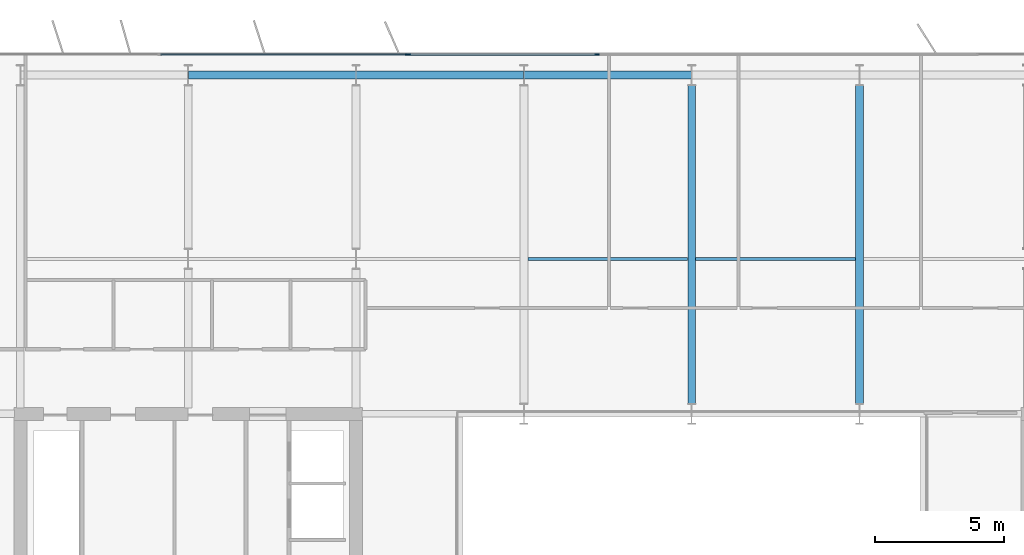
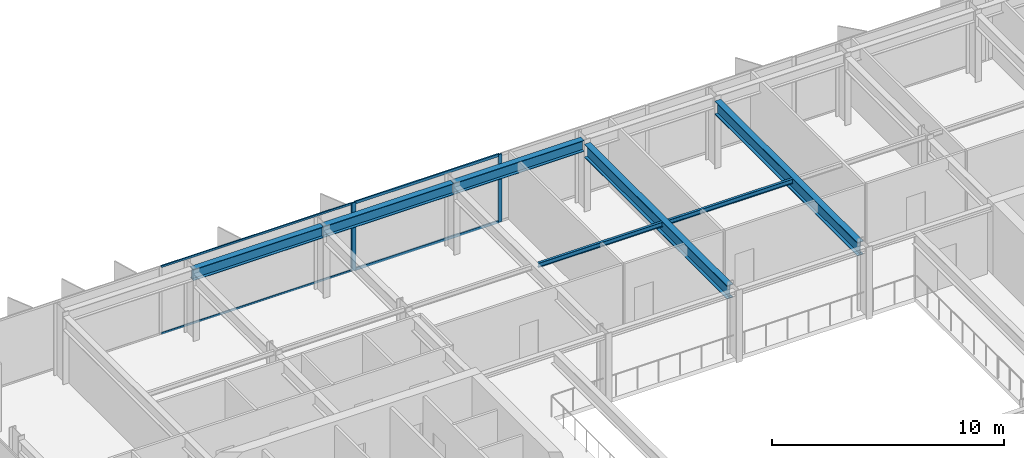
# One storey, part 11 of 23: 7 beams, 7 members, 2 elements without a shape of their own.
"""IFC4 building model written with IfcOpenShell, lengths in metres."""

from ifc_helpers import new_model, si_unit, direction, frame, origin, origin_2d, place, context, subcontext, project, spatial, rectangle, i_section, extrude, material, layer, layer_set, material_profile, profile_set, type_object, element, aggregate, save


model = new_model("IFC4")

# Units and contexts
model_context = context("Model", 3, precision=1e-05, world=origin(), true_north=direction((0.0, 1.0)))
body_context = subcontext(model_context, "Body", "Model", "MODEL_VIEW")
ifc_project = project(units=[si_unit("LENGTHUNIT", "METRE"), si_unit("AREAUNIT", "SQUARE_METRE"), si_unit("VOLUMEUNIT", "CUBIC_METRE"), si_unit("PLANEANGLEUNIT", "RADIAN"), si_unit("MASSUNIT", "GRAM", prefix="KILO")], contexts=[model_context])

# Site, building, storey
site_placement = place(None, origin())
site = spatial("IfcSite", under=ifc_project, at=site_placement, CompositionType="ELEMENT")
building_placement = place(site_placement, origin())
building = spatial("IfcBuilding", under=site, at=building_placement, Name="Putna Gate Headquarters", CompositionType="ELEMENT")
storey_placement = place(building_placement, frame((0.0, 0.0, 225.199951171875)))
storey = spatial("IfcBuildingStorey", under=building, at=storey_placement, Name="L56", CompositionType="ELEMENT", Elevation=225.199951171875)

# Beams
ifc_material_1 = material(Name="Steel S355J2", Category="steel")
ifc_material_profile_1 = material_profile(ifc_material_1, i_section(OverallWidth=0.300048828125, OverallDepth=0.699951171875, WebThickness=0.01708984375, FlangeThickness=0.031982421875, at=origin_2d()), Name="Steel S355J2")
ifc_profile_set_1 = profile_set([ifc_material_profile_1], Name="Steel S355J2")
beam_type_1 = type_object("IfcBeamType", Name="BM-GIRD-B-HEB700", PredefinedType="USERDEFINED", material=ifc_profile_set_1)
for number, where, z_axis, x_axis, name in (
    (1, (39.0, 33.39501953125, 3.22998046875), (0.0, 1.0, 0.0), (-1.0, 0.0, 0.0), "L56 North Primary Girder X39"),
    (2, (45.5, 33.39501953125, 3.22998046875), (0.0, 1.0, 0.0), (-1.0, 0.0, 0.0), "L56 North Primary Girder X45"),
):
    element("IfcBeam", number, at=place(storey_placement, frame(where, z_axis=z_axis, x_axis=x_axis)), inside=storey, type_object=beam_type_1, Name=name, ObjectType="GIRDER", PredefinedType="USERDEFINED", context=body_context, shape_type="SweptSolid", body=[
        extrude(i_section(OverallWidth=0.300048828125, OverallDepth=0.699951171875, WebThickness=0.01708984375, FlangeThickness=0.031982421875, at=origin_2d()), origin(), (0.0, 0.0, 1.0), 12.330078125),
    ])
ifc_material_profile_2 = material_profile(ifc_material_1, i_section(OverallWidth=0.1201171875, OverallDepth=0.239990234375, WebThickness=0.006103515625, FlangeThickness=0.009765625, at=origin_2d()), Name="Steel S355J2")
ifc_profile_set_2 = profile_set([ifc_material_profile_2], Name="Steel S355J2")
beam_type_2 = type_object("IfcBeamType", Name="BM-SEC-Z4-IPE240", PredefinedType="JOIST", material=ifc_profile_set_2)
for number, where, z_axis, x_axis, name in (
    (3, (32.654052734375, 39.0, 3.4599609375), (1.0, 0.0, 0.0), (0.0, 1.0, 0.0), "L56 North Secondary Beam 4"),
    (4, (39.154052734375, 39.0, 3.4599609375), (1.0, 0.0, 0.0), (0.0, 1.0, 0.0), "L56 North Secondary Beam 5"),
):
    element("IfcBeam", number, at=place(storey_placement, frame(where, z_axis=z_axis, x_axis=x_axis)), inside=storey, type_object=beam_type_2, Name=name, PredefinedType="JOIST", context=body_context, shape_type="SweptSolid", body=[
        extrude(i_section(OverallWidth=0.1201171875, OverallDepth=0.239990234375, WebThickness=0.006103515625, FlangeThickness=0.009765625, at=origin_2d()), origin(), (0.0, 0.0, 1.0), 6.19189453125),
    ])
ifc_material_profile_3 = material_profile(ifc_material_1, i_section(OverallWidth=0.300048828125, OverallDepth=0.590087890625, WebThickness=0.012939453125, FlangeThickness=0.02490234375, at=origin_2d()), Name="Steel S355J2")
ifc_profile_set_3 = profile_set([ifc_material_profile_3], Name="Steel S355J2")
beam_type_3 = type_object("IfcBeamType", Name="BM-SPAN-Z4-HEA600", PredefinedType="SPANDREL", material=ifc_profile_set_3)
for number, where, z_axis, x_axis, name in (
    (5, (19.506103515625, 46.1201171875, 3.28515625), (1.0, 0.0, 0.0), (0.0, 1.0, 0.0), "L56 N Perimeter Spandrel 2"),
    (6, (26.006103515625, 46.1201171875, 3.28515625), (1.0, 0.0, 0.0), (0.0, 1.0, 0.0), "L56 N Perimeter Spandrel 3"),
    (7, (32.506103515625, 46.1201171875, 3.28515625), (1.0, 0.0, 0.0), (0.0, 1.0, 0.0), "L56 N Perimeter Spandrel 4"),
):
    element("IfcBeam", number, at=place(storey_placement, frame(where, z_axis=z_axis, x_axis=x_axis)), inside=storey, type_object=beam_type_3, Name=name, PredefinedType="SPANDREL", context=body_context, shape_type="SweptSolid", body=[
        extrude(i_section(OverallWidth=0.300048828125, OverallDepth=0.590087890625, WebThickness=0.012939453125, FlangeThickness=0.02490234375, at=origin_2d()), origin(), (0.0, 0.0, 1.0), 6.48779296875),
    ])

# Curtain wall, member
ifc_material_2 = material(Name="Anodised bronze aluminium curtain wall", Category="aluminium")
ifc_layer_1 = layer(ifc_material_2, 0.139892578125)
ifc_layer_set_1 = layer_set([ifc_layer_1], Name="Anodised bronze aluminium curtain wall")
curtain_wall_type_1 = type_object("IfcCurtainWallType", Name="CW-SYS-Z4", PredefinedType="USERDEFINED", material=ifc_layer_set_1)
curtain_wall_1_placement = place(storey_placement, origin())
curtain_wall_1 = element("IfcCurtainWall", 8, at=curtain_wall_1_placement, inside=storey, type_object=curtain_wall_type_1, Name="L56 North West Curtain Wall", ObjectType="STICK CURTAIN WALL", PredefinedType="USERDEFINED")
ifc_material_3 = material(Name="Anodised bronze aluminium EN AW-6060", Category="aluminium")
ifc_material_profile_4 = material_profile(ifc_material_3, rectangle(XDim=0.06005859375, YDim=0.139892578125, at=origin_2d()), Name="Anodised bronze aluminium EN AW-6060")
ifc_profile_set_4 = profile_set([ifc_material_profile_4], Name="Anodised bronze aluminium EN AW-6060")
member_type_1 = type_object("IfcMemberType", Name="MULL-CWM-4", PredefinedType="MULLION", material=ifc_profile_set_4)
member_1_placement = place(storey_placement, frame((27.969970703125, 46.919921875, 0.0), z_axis=(0.0, 0.0, 1.0), x_axis=(0.0, 1.0, 0.0)))
member_1 = element("IfcMember", 9, at=member_1_placement, type_object=member_type_1, Name="CWS-4 mullion 3", PredefinedType="MULLION", context=body_context, shape_type="SweptSolid", body=[
    extrude(rectangle(XDim=0.06005859375, YDim=0.139892578125, at=origin_2d()), origin(), (0.0, 0.0, 1.0), 3.580078125),
])

# Curtain wall, members
ifc_layer_2 = layer(ifc_material_2, 0.179931640625)
ifc_layer_set_2 = layer_set([ifc_layer_2], Name="Anodised bronze aluminium curtain wall")
curtain_wall_type_2 = type_object("IfcCurtainWallType", Name="CW-SYS-ATR", PredefinedType="USERDEFINED", material=ifc_layer_set_2)
curtain_wall_2_placement = place(storey_placement, origin())
curtain_wall_2 = element("IfcCurtainWall", 10, at=curtain_wall_2_placement, inside=storey, type_object=curtain_wall_type_2, Name="L56 North Atrium Clear Glazing", ObjectType="ATRIUM GLAZING", PredefinedType="USERDEFINED")
ifc_material_profile_5 = material_profile(ifc_material_3, rectangle(XDim=0.070068359375, YDim=0.179931640625, at=origin_2d()), Name="Anodised bronze aluminium EN AW-6060")
ifc_profile_set_5 = profile_set([ifc_material_profile_5], Name="Anodised bronze aluminium EN AW-6060")
member_type_2 = type_object("IfcMemberType", Name="MULL-CWM-AT", PredefinedType="MULLION", material=ifc_profile_set_5)
member_2_placement = place(storey_placement, frame((28.034912109375, 46.919921875, 0.0), z_axis=(0.0, 0.0, 1.0), x_axis=(0.0, 1.0, 0.0)))
member_2 = element("IfcMember", 11, at=member_2_placement, type_object=member_type_2, Name="CWS-AT mullion 1", PredefinedType="MULLION", context=body_context, shape_type="SweptSolid", body=[
    extrude(rectangle(XDim=0.070068359375, YDim=0.179931640625, at=origin_2d()), origin(), (0.0, 0.0, 1.0), 3.580078125),
])
member_3_placement = place(storey_placement, frame((35.333251953125, 46.919921875, 0.0), z_axis=(0.0, 0.0, 1.0), x_axis=(0.0, 1.0, 0.0)))
member_3 = element("IfcMember", 12, at=member_3_placement, type_object=member_type_2, Name="CWS-AT mullion 2", PredefinedType="MULLION", context=body_context, shape_type="SweptSolid", body=[
    extrude(rectangle(XDim=0.070068359375, YDim=0.179931640625, at=origin_2d()), origin(), (0.0, 0.0, 1.0), 3.580078125),
])

# Member
ifc_material_profile_6 = material_profile(ifc_material_3, rectangle(XDim=0.06005859375, YDim=0.10009765625, at=origin_2d()), Name="Anodised bronze aluminium EN AW-6060")
ifc_profile_set_6 = profile_set([ifc_material_profile_6], Name="Anodised bronze aluminium EN AW-6060")
member_type_3 = type_object("IfcMemberType", Name="TRAN-CWT-4", PredefinedType="USERDEFINED", material=ifc_profile_set_6)
member_4_placement = place(storey_placement, frame((18.429931640625, 46.919921875, 0.030029296875), z_axis=(1.0, 0.0, 0.0), x_axis=(0.0, 1.0, 0.0)))
member_4 = element("IfcMember", 13, at=member_4_placement, type_object=member_type_3, Name="CWS-4 transom 2.1", ObjectType="TRANSOM", PredefinedType="USERDEFINED", context=body_context, shape_type="SweptSolid", body=[
    extrude(rectangle(XDim=0.06005859375, YDim=0.10009765625, at=origin_2d()), origin(), (0.0, 0.0, 1.0), 9.510009765625),
])

member_5_placement = place(storey_placement, frame((18.429931640625, 46.919921875, 3.550048828125), z_axis=(1.0, 0.0, 0.0), x_axis=(0.0, 1.0, 0.0)))
member_5 = element("IfcMember", 14, at=member_5_placement, type_object=member_type_3, Name="CWS-4 transom 2.2", ObjectType="TRANSOM", PredefinedType="USERDEFINED", context=body_context, shape_type="SweptSolid", body=[
    extrude(rectangle(XDim=0.06005859375, YDim=0.10009765625, at=origin_2d()), origin(), (0.0, 0.0, 1.0), 9.510009765625),
])

aggregate(curtain_wall_1, [member_1, member_4, member_5])

ifc_material_profile_7 = material_profile(ifc_material_3, rectangle(XDim=0.070068359375, YDim=0.139892578125, at=origin_2d()), Name="Anodised bronze aluminium EN AW-6060")
ifc_profile_set_7 = profile_set([ifc_material_profile_7], Name="Anodised bronze aluminium EN AW-6060")
member_type_4 = type_object("IfcMemberType", Name="TRAN-CWT-AT", PredefinedType="USERDEFINED", material=ifc_profile_set_7)
member_6_placement = place(storey_placement, frame((28.070068359375, 46.919921875, 0.03515625), z_axis=(1.0, 0.0, 0.0), x_axis=(0.0, 1.0, 0.0)))
member_6 = element("IfcMember", 15, at=member_6_placement, type_object=member_type_4, Name="CWS-AT transom 1.1", ObjectType="TRANSOM", PredefinedType="USERDEFINED", context=body_context, shape_type="SweptSolid", body=[
    extrude(rectangle(XDim=0.070068359375, YDim=0.139892578125, at=origin_2d()), origin(), (0.0, 0.0, 1.0), 7.228271484375),
])

member_7_placement = place(storey_placement, frame((28.070068359375, 46.919921875, 3.545166015625), z_axis=(1.0, 0.0, 0.0), x_axis=(0.0, 1.0, 0.0)))
member_7 = element("IfcMember", 16, at=member_7_placement, type_object=member_type_4, Name="CWS-AT transom 1.2", ObjectType="TRANSOM", PredefinedType="USERDEFINED", context=body_context, shape_type="SweptSolid", body=[
    extrude(rectangle(XDim=0.070068359375, YDim=0.139892578125, at=origin_2d()), origin(), (0.0, 0.0, 1.0), 7.228271484375),
])

aggregate(curtain_wall_2, [member_2, member_3, member_6, member_7])

save(model, "model.ifc")
